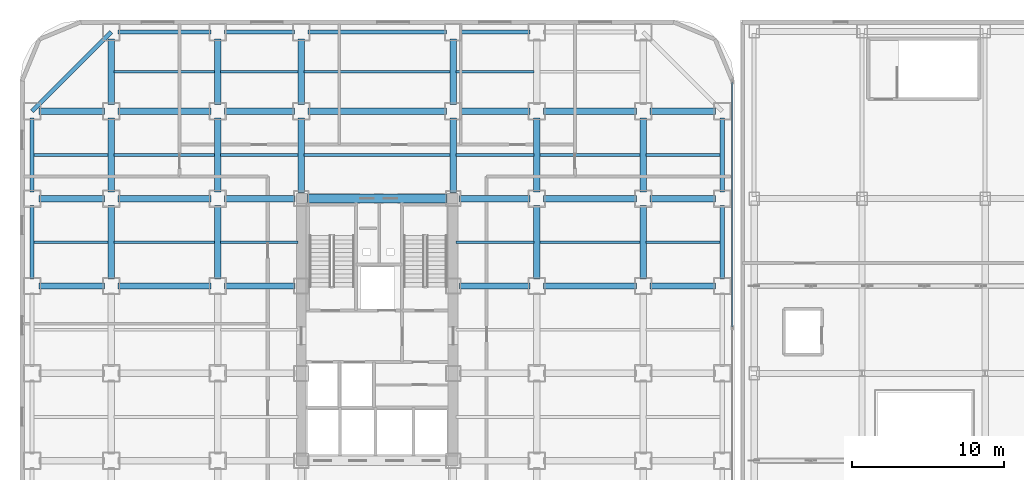
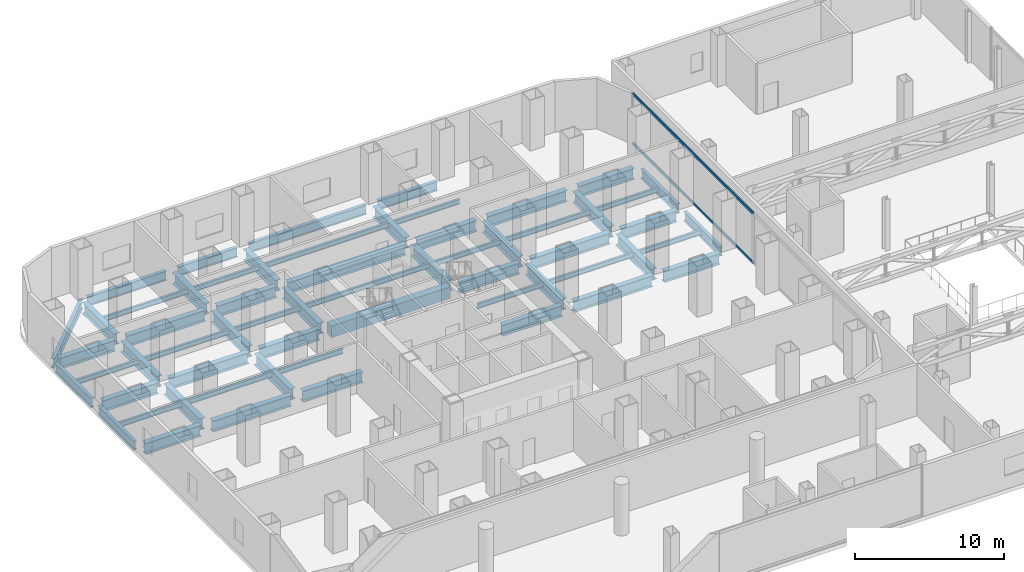
# One storey, part 14 of 28: 60 beams, 2 members, 1 element without a shape of its own.
"""IFC4 building model written with IfcOpenShell, lengths in metres."""

from ifc_helpers import new_model, si_unit, direction, frame, origin, origin_2d, place, context, subcontext, project, spatial, rectangle, hollow_rectangle, i_section, extrude, source, transform, mapped, material, layer, layer_set, material_profile, profile_set, type_object, element, aggregate, save


model = new_model("IFC4")

# Units and contexts
model_context = context("Model", 3, precision=1e-05, world=origin(), true_north=direction((0.0, 1.0)))
body_context = subcontext(model_context, "Body", "Model", "MODEL_VIEW")
ifc_project = project(units=[si_unit("LENGTHUNIT", "METRE"), si_unit("AREAUNIT", "SQUARE_METRE"), si_unit("VOLUMEUNIT", "CUBIC_METRE"), si_unit("PLANEANGLEUNIT", "RADIAN"), si_unit("MASSUNIT", "GRAM", prefix="KILO")], contexts=[model_context])

# Site, building, storey
site_placement = place(None, origin())
site = spatial("IfcSite", under=ifc_project, at=site_placement, CompositionType="ELEMENT")
building_placement = place(site_placement, origin())
building = spatial("IfcBuilding", under=site, at=building_placement, Name="Kolveth Station Tower", CompositionType="ELEMENT")
storey_placement = place(building_placement, frame((0.0, 0.0, 18.0)))
storey = spatial("IfcBuildingStorey", under=building, at=storey_placement, Name="L04", CompositionType="ELEMENT", Elevation=18.0)

# Beams
ifc_material_1 = material(Name="Steel S355", Category="steel")
ifc_material_profile_1 = material_profile(ifc_material_1, i_section(OverallWidth=0.26904296875, OverallDepth=0.77490234375, WebThickness=0.01708984375, FlangeThickness=0.0283203125, at=origin_2d()), Name="W760x220")
ifc_profile_set_1 = profile_set([ifc_material_profile_1], Name="Steel S355")
beam_type_1 = type_object("IfcBeamType", Name="Beam_SP1", PredefinedType="SPANDREL", material=ifc_profile_set_1)
shared_shape_1 = source(origin(), body_context, "Body", "SweptSolid", [
    extrude(i_section(OverallWidth=0.26904296875, OverallDepth=0.77490234375, WebThickness=0.01708984375, FlangeThickness=0.0283203125, at=origin_2d()), origin(), (0.0, 0.0, 1.0), 6.10009765625),
])
beam_1_placement = place(storey_placement, frame((6.449951171875, 39.699951171875, -0.70751953125), z_axis=(1.0, 0.0, 0.0), x_axis=(0.0, 1.0, 0.0)))
element("IfcBeam", 1, at=beam_1_placement, inside=storey, type_object=beam_type_1, Name="L04 Perimeter Spandrel BM-L04-PN-1", PredefinedType="SPANDREL", context=body_context, shape_type="MappedRepresentation", body=[
    mapped(shared_shape_1, transform((0.0, 0.0, 0.0), x_axis=(1.0, 0.0, 0.0), y_axis=(0.0, 1.0, 0.0), z_axis=(0.0, 0.0, 1.0), scale=1.0)),
])
shared_shape_2 = source(origin(), body_context, "Body", "SweptSolid", [
    extrude(i_section(OverallWidth=0.26904296875, OverallDepth=0.77490234375, WebThickness=0.01708984375, FlangeThickness=0.0283203125, at=origin_2d()), origin(), (0.0, 0.0, 1.0), 4.60009765625),
])
for number, where, z_axis, x_axis, name in (
    (2, (13.449951171875, 39.699951171875, -0.70751953125), (1.0, 0.0, 0.0), (0.0, 1.0, 0.0), "L04 Perimeter Spandrel BM-L04-PN-2"),
    (3, (28.949951171875, 39.699951171875, -0.70751953125), (1.0, 0.0, 0.0), (0.0, 1.0, 0.0), "L04 Perimeter Spandrel BM-L04-PN-4"),
):
    element("IfcBeam", number, at=place(storey_placement, frame(where, z_axis=z_axis, x_axis=x_axis)), inside=storey, type_object=beam_type_1, Name=name, PredefinedType="SPANDREL", context=body_context, shape_type="MappedRepresentation", body=[
        mapped(shared_shape_2, transform((0.0, 0.0, 0.0), x_axis=(1.0, 0.0, 0.0), y_axis=(0.0, 1.0, 0.0), z_axis=(0.0, 0.0, 1.0), scale=1.0)),
    ])
shared_shape_3 = source(origin(), body_context, "Body", "SweptSolid", [
    extrude(i_section(OverallWidth=0.26904296875, OverallDepth=0.77490234375, WebThickness=0.01708984375, FlangeThickness=0.0283203125, at=origin_2d()), origin(), (0.0, 0.0, 1.0), 9.10009765625),
])
beam_2_placement = place(storey_placement, frame((18.949951171875, 39.699951171875, -0.70751953125), z_axis=(1.0, 0.0, 0.0), x_axis=(0.0, 1.0, 0.0)))
element("IfcBeam", 4, at=beam_2_placement, inside=storey, type_object=beam_type_1, Name="L04 Perimeter Spandrel BM-L04-PN-3", PredefinedType="SPANDREL", context=body_context, shape_type="MappedRepresentation", body=[
    mapped(shared_shape_3, transform((0.0, 0.0, 0.0), x_axis=(1.0, 0.0, 0.0), y_axis=(0.0, 1.0, 0.0), z_axis=(0.0, 0.0, 1.0), scale=1.0)),
])
shared_shape_4 = source(origin(), body_context, "Body", "SweptSolid", [
    extrude(i_section(OverallWidth=0.26904296875, OverallDepth=0.77490234375, WebThickness=0.01708984375, FlangeThickness=0.0283203125, at=origin_2d()), origin(), (0.0, 0.0, 1.0), 4.85009765625),
])
for number, where, z_axis, x_axis, name in (
    (5, (0.800048828125, 23.449951171875, -0.70751953125), (0.0, 1.0, 0.0), (-1.0, 0.0, 0.0), "L04 Perimeter Spandrel BM-L04-PW-4"),
    (6, (0.800048828125, 29.199951171875, -0.70751953125), (0.0, 1.0, 0.0), (-1.0, 0.0, 0.0), "L04 Perimeter Spandrel BM-L04-PW-5"),
    (7, (46.199951171875, 23.449951171875, -0.70751953125), (0.0, 1.0, 0.0), (-1.0, 0.0, 0.0), "L04 Perimeter Spandrel BM-L04-PE-4"),
    (8, (46.199951171875, 29.199951171875, -0.70751953125), (0.0, 1.0, 0.0), (-1.0, 0.0, 0.0), "L04 Perimeter Spandrel BM-L04-PE-5"),
):
    element("IfcBeam", number, at=place(storey_placement, frame(where, z_axis=z_axis, x_axis=x_axis)), inside=storey, type_object=beam_type_1, Name=name, PredefinedType="SPANDREL", context=body_context, shape_type="MappedRepresentation", body=[
        mapped(shared_shape_4, transform((0.0, 0.0, 0.0), x_axis=(1.0, 0.0, 0.0), y_axis=(0.0, 1.0, 0.0), z_axis=(0.0, 0.0, 1.0), scale=1.0)),
    ])
shared_shape_5 = source(origin(), body_context, "Body", "SweptSolid", [
    extrude(i_section(OverallWidth=0.26904296875, OverallDepth=0.77490234375, WebThickness=0.01708984375, FlangeThickness=0.0283203125, at=origin_2d()), origin(), (0.0, 0.0, 1.0), 7.353759765625),
])
beam_3_placement = place(storey_placement, frame((6.0, 39.699951171875, -0.70751953125), z_axis=(-0.707106781187, -0.707106781187, 0.0), x_axis=(0.707106781187, -0.707106781187, 0.0)))
element("IfcBeam", 9, at=beam_3_placement, inside=storey, type_object=beam_type_1, Name="L04 Corner Edge Girder BM-L04-CNR-NW", PredefinedType="SPANDREL", context=body_context, shape_type="MappedRepresentation", body=[
    mapped(shared_shape_5, transform((0.0, 0.0, 0.0), x_axis=(1.0, 0.0, 0.0), y_axis=(0.0, 1.0, 0.0), z_axis=(0.0, 0.0, 1.0), scale=1.0)),
])
ifc_material_profile_2 = material_profile(ifc_material_1, i_section(OverallWidth=0.41796875, OverallDepth=0.912109375, WebThickness=0.019287109375, FlangeThickness=0.031982421875, at=origin_2d()), Name="W920x342")
ifc_profile_set_2 = profile_set([ifc_material_profile_2], Name="Steel S355")
beam_type_2 = type_object("IfcBeamType", Name="Beam_B1", PredefinedType="BEAM", material=ifc_profile_set_2)
shared_shape_6 = source(origin(), body_context, "Body", "SweptSolid", [
    extrude(i_section(OverallWidth=0.41796875, OverallDepth=0.912109375, WebThickness=0.019287109375, FlangeThickness=0.031982421875, at=origin_2d()), origin(), (0.0, 0.0, 1.0), 4.300048828125),
])
for number, where, z_axis, x_axis, name in (
    (10, (1.25, 23.0, -0.77587890625), (1.0, 0.0, 0.0), (0.0, 1.0, 0.0), "L04 Primary Girder BM-L04-GY230-1"),
    (11, (41.449951171875, 23.0, -0.77587890625), (1.0, 0.0, 0.0), (0.0, 1.0, 0.0), "L04 Primary Girder BM-L04-GY230-7"),
    (12, (1.25, 28.75, -0.77587890625), (1.0, 0.0, 0.0), (0.0, 1.0, 0.0), "L04 Primary Girder BM-L04-GY287-1"),
    (13, (41.449951171875, 28.75, -0.77587890625), (1.0, 0.0, 0.0), (0.0, 1.0, 0.0), "L04 Primary Girder BM-L04-GY287-7"),
    (14, (1.25, 34.5, -0.77587890625), (1.0, 0.0, 0.0), (0.0, 1.0, 0.0), "L04 Primary Girder BM-L04-GY345-1"),
    (15, (41.449951171875, 34.5, -0.77587890625), (1.0, 0.0, 0.0), (0.0, 1.0, 0.0), "L04 Primary Girder BM-L04-GY345-7"),
    (16, (6.0, 34.949951171875, -0.77587890625), (0.0, 1.0, 0.0), (-1.0, 0.0, 0.0), "L04 Primary Girder BM-L04-GX60-7"),
    (17, (13.0, 34.949951171875, -0.77587890625), (0.0, 1.0, 0.0), (-1.0, 0.0, 0.0), "L04 Primary Girder BM-L04-GX130-7"),
    (18, (18.5, 34.949951171875, -0.77587890625), (0.0, 1.0, 0.0), (-1.0, 0.0, 0.0), "L04 Primary Girder BM-L04-GX185-7"),
    (19, (28.5, 34.949951171875, -0.77587890625), (0.0, 1.0, 0.0), (-1.0, 0.0, 0.0), "L04 Primary Girder BM-L04-GX285-7"),
):
    element("IfcBeam", number, at=place(storey_placement, frame(where, z_axis=z_axis, x_axis=x_axis)), inside=storey, type_object=beam_type_2, Name=name, PredefinedType="BEAM", context=body_context, shape_type="MappedRepresentation", body=[
        mapped(shared_shape_6, transform((0.0, 0.0, 0.0), x_axis=(1.0, 0.0, 0.0), y_axis=(0.0, 1.0, 0.0), z_axis=(0.0, 0.0, 1.0), scale=1.0)),
    ])
shared_shape_7 = source(origin(), body_context, "Body", "SweptSolid", [
    extrude(i_section(OverallWidth=0.41796875, OverallDepth=0.912109375, WebThickness=0.019287109375, FlangeThickness=0.031982421875, at=origin_2d()), origin(), (0.0, 0.0, 1.0), 6.10009765625),
])
for number, where, z_axis, x_axis, name in (
    (20, (6.449951171875, 23.0, -0.77587890625), (1.0, 0.0, 0.0), (0.0, 1.0, 0.0), "L04 Primary Girder BM-L04-GY230-2"),
    (21, (34.449951171875, 23.0, -0.77587890625), (1.0, 0.0, 0.0), (0.0, 1.0, 0.0), "L04 Primary Girder BM-L04-GY230-6"),
    (22, (6.449951171875, 28.75, -0.77587890625), (1.0, 0.0, 0.0), (0.0, 1.0, 0.0), "L04 Primary Girder BM-L04-GY287-2"),
    (23, (34.449951171875, 28.75, -0.77587890625), (1.0, 0.0, 0.0), (0.0, 1.0, 0.0), "L04 Primary Girder BM-L04-GY287-6"),
    (24, (6.449951171875, 34.5, -0.77587890625), (1.0, 0.0, 0.0), (0.0, 1.0, 0.0), "L04 Primary Girder BM-L04-GY345-2"),
    (25, (34.449951171875, 34.5, -0.77587890625), (1.0, 0.0, 0.0), (0.0, 1.0, 0.0), "L04 Primary Girder BM-L04-GY345-6"),
):
    element("IfcBeam", number, at=place(storey_placement, frame(where, z_axis=z_axis, x_axis=x_axis)), inside=storey, type_object=beam_type_2, Name=name, PredefinedType="BEAM", context=body_context, shape_type="MappedRepresentation", body=[
        mapped(shared_shape_7, transform((0.0, 0.0, 0.0), x_axis=(1.0, 0.0, 0.0), y_axis=(0.0, 1.0, 0.0), z_axis=(0.0, 0.0, 1.0), scale=1.0)),
    ])
shared_shape_8 = source(origin(), body_context, "Body", "SweptSolid", [
    extrude(i_section(OverallWidth=0.41796875, OverallDepth=0.912109375, WebThickness=0.019287109375, FlangeThickness=0.031982421875, at=origin_2d()), origin(), (0.0, 0.0, 1.0), 4.60009765625),
])
for number, where, z_axis, x_axis, name in (
    (26, (13.449951171875, 34.5, -0.77587890625), (1.0, 0.0, 0.0), (0.0, 1.0, 0.0), "L04 Primary Girder BM-L04-GY345-3"),
    (27, (28.949951171875, 34.5, -0.77587890625), (1.0, 0.0, 0.0), (0.0, 1.0, 0.0), "L04 Primary Girder BM-L04-GY345-5"),
):
    element("IfcBeam", number, at=place(storey_placement, frame(where, z_axis=z_axis, x_axis=x_axis)), inside=storey, type_object=beam_type_2, Name=name, PredefinedType="BEAM", context=body_context, shape_type="MappedRepresentation", body=[
        mapped(shared_shape_8, transform((0.0, 0.0, 0.0), x_axis=(1.0, 0.0, 0.0), y_axis=(0.0, 1.0, 0.0), z_axis=(0.0, 0.0, 1.0), scale=1.0)),
    ])
shared_shape_9 = source(origin(), body_context, "Body", "SweptSolid", [
    extrude(i_section(OverallWidth=0.41796875, OverallDepth=0.912109375, WebThickness=0.019287109375, FlangeThickness=0.031982421875, at=origin_2d()), origin(), (0.0, 0.0, 1.0), 9.10009765625),
])
beam_4_placement = place(storey_placement, frame((18.949951171875, 34.5, -0.77587890625), z_axis=(1.0, 0.0, 0.0), x_axis=(0.0, 1.0, 0.0)))
element("IfcBeam", 28, at=beam_4_placement, inside=storey, type_object=beam_type_2, Name="L04 Primary Girder BM-L04-GY345-4", PredefinedType="BEAM", context=body_context, shape_type="MappedRepresentation", body=[
    mapped(shared_shape_9, transform((0.0, 0.0, 0.0), x_axis=(1.0, 0.0, 0.0), y_axis=(0.0, 1.0, 0.0), z_axis=(0.0, 0.0, 1.0), scale=1.0)),
])
shared_shape_10 = source(origin(), body_context, "Body", "SweptSolid", [
    extrude(i_section(OverallWidth=0.41796875, OverallDepth=0.912109375, WebThickness=0.019287109375, FlangeThickness=0.031982421875, at=origin_2d()), origin(), (0.0, 0.0, 1.0), 4.650146484375),
])
for number, where, z_axis, x_axis, name in (
    (29, (13.449951171875, 23.0, -0.77587890625), (1.0, 0.0, 0.0), (0.0, 1.0, 0.0), "L04 Primary Girder BM-L04-GY230-3"),
    (30, (28.89990234375, 23.0, -0.77587890625), (1.0, 0.0, 0.0), (0.0, 1.0, 0.0), "L04 Primary Girder BM-L04-GY230-5"),
    (31, (13.449951171875, 28.75, -0.77587890625), (1.0, 0.0, 0.0), (0.0, 1.0, 0.0), "L04 Primary Girder BM-L04-GY287-3"),
    (32, (28.89990234375, 28.75, -0.77587890625), (1.0, 0.0, 0.0), (0.0, 1.0, 0.0), "L04 Primary Girder BM-L04-GY287-5"),
):
    element("IfcBeam", number, at=place(storey_placement, frame(where, z_axis=z_axis, x_axis=x_axis)), inside=storey, type_object=beam_type_2, Name=name, PredefinedType="BEAM", context=body_context, shape_type="MappedRepresentation", body=[
        mapped(shared_shape_10, transform((0.0, 0.0, 0.0), x_axis=(1.0, 0.0, 0.0), y_axis=(0.0, 1.0, 0.0), z_axis=(0.0, 0.0, 1.0), scale=1.0)),
    ])
ifc_material_2 = material(Name="Concrete C60/75", Category="concrete")
ifc_material_profile_3 = material_profile(ifc_material_2, rectangle(XDim=0.60009765625, YDim=0.949951171875, at=origin_2d()), Name="RC-600x950")
ifc_profile_set_3 = profile_set([ifc_material_profile_3], Name="Concrete C60/75")
beam_type_3 = type_object("IfcBeamType", Name="Beam_CB1", PredefinedType="BEAM", material=ifc_profile_set_3)
shared_shape_11 = source(origin(), body_context, "Body", "SweptSolid", [
    extrude(rectangle(XDim=0.60009765625, YDim=0.949951171875, at=origin_2d()), origin(), (0.0, 0.0, 1.0), 9.2001953125),
])
beam_5_placement = place(storey_placement, frame((18.89990234375, 28.75, -0.794921875), z_axis=(1.0, 0.0, 0.0), x_axis=(0.0, 1.0, 0.0)))
element("IfcBeam", 33, at=beam_5_placement, inside=storey, type_object=beam_type_3, Name="L04 Core Coupling Beam BM-L04-CB-Y287", PredefinedType="BEAM", context=body_context, shape_type="MappedRepresentation", body=[
    mapped(shared_shape_11, transform((0.0, 0.0, 0.0), x_axis=(1.0, 0.0, 0.0), y_axis=(0.0, 1.0, 0.0), z_axis=(0.0, 0.0, 1.0), scale=1.0)),
])
shared_shape_12 = source(origin(), body_context, "Body", "SweptSolid", [
    extrude(i_section(OverallWidth=0.41796875, OverallDepth=0.912109375, WebThickness=0.019287109375, FlangeThickness=0.031982421875, at=origin_2d()), origin(), (0.0, 0.0, 1.0), 4.85009765625),
])
for number, where, z_axis, x_axis, name in (
    (34, (6.0, 23.449951171875, -0.77587890625), (0.0, 1.0, 0.0), (-1.0, 0.0, 0.0), "L04 Primary Girder BM-L04-GX60-5"),
    (35, (6.0, 29.199951171875, -0.77587890625), (0.0, 1.0, 0.0), (-1.0, 0.0, 0.0), "L04 Primary Girder BM-L04-GX60-6"),
    (36, (13.0, 23.449951171875, -0.77587890625), (0.0, 1.0, 0.0), (-1.0, 0.0, 0.0), "L04 Primary Girder BM-L04-GX130-5"),
    (37, (13.0, 29.199951171875, -0.77587890625), (0.0, 1.0, 0.0), (-1.0, 0.0, 0.0), "L04 Primary Girder BM-L04-GX130-6"),
    (38, (34.0, 23.449951171875, -0.77587890625), (0.0, 1.0, 0.0), (-1.0, 0.0, 0.0), "L04 Primary Girder BM-L04-GX340-5"),
    (39, (34.0, 29.199951171875, -0.77587890625), (0.0, 1.0, 0.0), (-1.0, 0.0, 0.0), "L04 Primary Girder BM-L04-GX340-6"),
    (40, (41.0, 23.449951171875, -0.77587890625), (0.0, 1.0, 0.0), (-1.0, 0.0, 0.0), "L04 Primary Girder BM-L04-GX410-5"),
    (41, (41.0, 29.199951171875, -0.77587890625), (0.0, 1.0, 0.0), (-1.0, 0.0, 0.0), "L04 Primary Girder BM-L04-GX410-6"),
):
    element("IfcBeam", number, at=place(storey_placement, frame(where, z_axis=z_axis, x_axis=x_axis)), inside=storey, type_object=beam_type_2, Name=name, PredefinedType="BEAM", context=body_context, shape_type="MappedRepresentation", body=[
        mapped(shared_shape_12, transform((0.0, 0.0, 0.0), x_axis=(1.0, 0.0, 0.0), y_axis=(0.0, 1.0, 0.0), z_axis=(0.0, 0.0, 1.0), scale=1.0)),
    ])
shared_shape_13 = source(origin(), body_context, "Body", "SweptSolid", [
    extrude(i_section(OverallWidth=0.41796875, OverallDepth=0.912109375, WebThickness=0.019287109375, FlangeThickness=0.031982421875, at=origin_2d()), origin(), (0.0, 0.0, 1.0), 4.900146484375),
])
for number, where, z_axis, x_axis, name in (
    (42, (18.5, 29.14990234375, -0.77587890625), (0.0, 1.0, 0.0), (-1.0, 0.0, 0.0), "L04 Primary Girder BM-L04-GX185-6"),
    (43, (28.5, 29.14990234375, -0.77587890625), (0.0, 1.0, 0.0), (-1.0, 0.0, 0.0), "L04 Primary Girder BM-L04-GX285-6"),
):
    element("IfcBeam", number, at=place(storey_placement, frame(where, z_axis=z_axis, x_axis=x_axis)), inside=storey, type_object=beam_type_2, Name=name, PredefinedType="BEAM", context=body_context, shape_type="MappedRepresentation", body=[
        mapped(shared_shape_13, transform((0.0, 0.0, 0.0), x_axis=(1.0, 0.0, 0.0), y_axis=(0.0, 1.0, 0.0), z_axis=(0.0, 0.0, 1.0), scale=1.0)),
    ])
ifc_material_profile_4 = material_profile(ifc_material_1, i_section(OverallWidth=0.177978515625, OverallDepth=0.406982421875, WebThickness=0.0078125, FlangeThickness=0.0126953125, at=origin_2d()), Name="W410x60")
ifc_profile_set_4 = profile_set([ifc_material_profile_4], Name="Steel S355")
beam_type_4 = type_object("IfcBeamType", Name="Beam_J1", PredefinedType="JOIST", material=ifc_profile_set_4)
shared_shape_14 = source(origin(), body_context, "Body", "SweptSolid", [
    extrude(i_section(OverallWidth=0.177978515625, OverallDepth=0.406982421875, WebThickness=0.0078125, FlangeThickness=0.0126953125, at=origin_2d()), origin(), (0.0, 0.0, 1.0), 4.872314453125),
])
for number, where, z_axis, x_axis, name in (
    (44, (0.9326171875, 25.875, -0.5234375), (1.0, 0.0, 0.0), (0.0, 1.0, 0.0), "L04 Secondary Joist JST-L04-1-5"),
    (45, (0.9326171875, 31.625, -0.5234375), (1.0, 0.0, 0.0), (0.0, 1.0, 0.0), "L04 Secondary Joist JST-L04-1-6"),
    (46, (41.195068359375, 25.875, -0.5234375), (1.0, 0.0, 0.0), (0.0, 1.0, 0.0), "L04 Secondary Joist JST-L04-7-5"),
    (47, (41.195068359375, 31.625, -0.5234375), (1.0, 0.0, 0.0), (0.0, 1.0, 0.0), "L04 Secondary Joist JST-L04-7-6"),
):
    element("IfcBeam", number, at=place(storey_placement, frame(where, z_axis=z_axis, x_axis=x_axis)), inside=storey, type_object=beam_type_4, Name=name, PredefinedType="JOIST", context=body_context, shape_type="MappedRepresentation", body=[
        mapped(shared_shape_14, transform((0.0, 0.0, 0.0), x_axis=(1.0, 0.0, 0.0), y_axis=(0.0, 1.0, 0.0), z_axis=(0.0, 0.0, 1.0), scale=1.0)),
    ])
shared_shape_15 = source(origin(), body_context, "Body", "SweptSolid", [
    extrude(i_section(OverallWidth=0.177978515625, OverallDepth=0.406982421875, WebThickness=0.0078125, FlangeThickness=0.0126953125, at=origin_2d()), origin(), (0.0, 0.0, 1.0), 6.60986328125),
])
for number, where, z_axis, x_axis, name in (
    (48, (6.195068359375, 25.875, -0.5234375), (1.0, 0.0, 0.0), (0.0, 1.0, 0.0), "L04 Secondary Joist JST-L04-2-5"),
    (49, (6.195068359375, 31.625, -0.5234375), (1.0, 0.0, 0.0), (0.0, 1.0, 0.0), "L04 Secondary Joist JST-L04-2-6"),
    (50, (6.195068359375, 37.10009765625, -0.5234375), (1.0, 0.0, 0.0), (0.0, 1.0, 0.0), "L04 Secondary Joist JST-L04-2-7"),
    (51, (34.195068359375, 25.875, -0.5234375), (1.0, 0.0, 0.0), (0.0, 1.0, 0.0), "L04 Secondary Joist JST-L04-6-5"),
    (52, (34.195068359375, 31.625, -0.5234375), (1.0, 0.0, 0.0), (0.0, 1.0, 0.0), "L04 Secondary Joist JST-L04-6-6"),
):
    element("IfcBeam", number, at=place(storey_placement, frame(where, z_axis=z_axis, x_axis=x_axis)), inside=storey, type_object=beam_type_4, Name=name, PredefinedType="JOIST", context=body_context, shape_type="MappedRepresentation", body=[
        mapped(shared_shape_15, transform((0.0, 0.0, 0.0), x_axis=(1.0, 0.0, 0.0), y_axis=(0.0, 1.0, 0.0), z_axis=(0.0, 0.0, 1.0), scale=1.0)),
    ])
shared_shape_16 = source(origin(), body_context, "Body", "SweptSolid", [
    extrude(i_section(OverallWidth=0.177978515625, OverallDepth=0.406982421875, WebThickness=0.0078125, FlangeThickness=0.0126953125, at=origin_2d()), origin(), (0.0, 0.0, 1.0), 5.10986328125),
])
for number, where, z_axis, x_axis, name in (
    (53, (13.195068359375, 25.875, -0.5234375), (1.0, 0.0, 0.0), (0.0, 1.0, 0.0), "L04 Secondary Joist JST-L04-3-5"),
    (54, (13.195068359375, 31.625, -0.5234375), (1.0, 0.0, 0.0), (0.0, 1.0, 0.0), "L04 Secondary Joist JST-L04-3-6"),
    (55, (13.195068359375, 37.10009765625, -0.5234375), (1.0, 0.0, 0.0), (0.0, 1.0, 0.0), "L04 Secondary Joist JST-L04-3-7"),
    (56, (28.695068359375, 25.875, -0.5234375), (1.0, 0.0, 0.0), (0.0, 1.0, 0.0), "L04 Secondary Joist JST-L04-5-5"),
    (57, (28.695068359375, 31.625, -0.5234375), (1.0, 0.0, 0.0), (0.0, 1.0, 0.0), "L04 Secondary Joist JST-L04-5-6"),
    (58, (28.695068359375, 37.10009765625, -0.5234375), (1.0, 0.0, 0.0), (0.0, 1.0, 0.0), "L04 Secondary Joist JST-L04-5-7"),
):
    element("IfcBeam", number, at=place(storey_placement, frame(where, z_axis=z_axis, x_axis=x_axis)), inside=storey, type_object=beam_type_4, Name=name, PredefinedType="JOIST", context=body_context, shape_type="MappedRepresentation", body=[
        mapped(shared_shape_16, transform((0.0, 0.0, 0.0), x_axis=(1.0, 0.0, 0.0), y_axis=(0.0, 1.0, 0.0), z_axis=(0.0, 0.0, 1.0), scale=1.0)),
    ])
shared_shape_17 = source(origin(), body_context, "Body", "SweptSolid", [
    extrude(i_section(OverallWidth=0.177978515625, OverallDepth=0.406982421875, WebThickness=0.0078125, FlangeThickness=0.0126953125, at=origin_2d()), origin(), (0.0, 0.0, 1.0), 9.60986328125),
])
for number, where, z_axis, x_axis, name in (
    (59, (18.695068359375, 31.625, -0.5234375), (1.0, 0.0, 0.0), (0.0, 1.0, 0.0), "L04 Secondary Joist JST-L04-4-6"),
    (60, (18.695068359375, 37.10009765625, -0.5234375), (1.0, 0.0, 0.0), (0.0, 1.0, 0.0), "L04 Secondary Joist JST-L04-4-7"),
):
    element("IfcBeam", number, at=place(storey_placement, frame(where, z_axis=z_axis, x_axis=x_axis)), inside=storey, type_object=beam_type_4, Name=name, PredefinedType="JOIST", context=body_context, shape_type="MappedRepresentation", body=[
        mapped(shared_shape_17, transform((0.0, 0.0, 0.0), x_axis=(1.0, 0.0, 0.0), y_axis=(0.0, 1.0, 0.0), z_axis=(0.0, 0.0, 1.0), scale=1.0)),
    ])

# Curtain wall, members
ifc_material_3 = material(Name="Black anodized aluminium 6063-T6 and clear station glass", Category="aluminium")
ifc_layer = layer(ifc_material_3, 0.239990234375)
ifc_layer_set = layer_set([ifc_layer], Name="Black anodized aluminium 6063-T6 and clear station glass")
curtain_wall_type = type_object("IfcCurtainWallType", Name="CurtainWall_CW-ST", PredefinedType="NOTDEFINED", material=ifc_layer_set)
curtain_wall_placement = place(storey_placement, origin())
curtain_wall = element("IfcCurtainWall", 61, at=curtain_wall_placement, inside=storey, type_object=curtain_wall_type, Name="L04 Tower Podium East Storefront Curtain Wall", PredefinedType="NOTDEFINED")
ifc_material_4 = material(Name="Black anodized aluminium 6063-T6", Category="aluminium")
ifc_material_profile_5 = material_profile(ifc_material_4, hollow_rectangle(XDim=0.094970703125, YDim=0.219970703125, WallThickness=0.0048828125, at=origin_2d()), Name="ALU-95x220x5")
ifc_profile_set_5 = profile_set([ifc_material_profile_5], Name="Black anodized aluminium 6063-T6")
member_type = type_object("IfcMemberType", Name="Transom_TR-ST", PredefinedType="USERDEFINED", material=ifc_profile_set_5)
shared_shape_18 = source(origin(), body_context, "Body", "SweptSolid", [
    extrude(hollow_rectangle(XDim=0.094970703125, YDim=0.219970703125, WallThickness=0.0048828125, at=origin_2d()), origin(), (0.0, 0.0, 1.0), 16.099853515625),
])
member_1_placement = place(storey_placement, frame((46.860107421875, 20.300048828125, 0.047607421875), z_axis=(0.0, 1.0, 0.0), x_axis=(-1.0, 0.0, 0.0)))
member_1 = element("IfcMember", 62, at=member_1_placement, type_object=member_type, Name="CW-ST transom 2.1", ObjectType="TRANSOM", PredefinedType="USERDEFINED", context=body_context, shape_type="MappedRepresentation", body=[
    mapped(shared_shape_18, transform((0.0, 0.0, 0.0), x_axis=(1.0, 0.0, 0.0), y_axis=(0.0, 1.0, 0.0), z_axis=(0.0, 0.0, 1.0), scale=1.0)),
])
member_2_placement = place(storey_placement, frame((46.860107421875, 20.300048828125, 4.092529296875), z_axis=(0.0, 1.0, 0.0), x_axis=(-1.0, 0.0, 0.0)))
member_2 = element("IfcMember", 63, at=member_2_placement, type_object=member_type, Name="CW-ST transom 2.2", ObjectType="TRANSOM", PredefinedType="USERDEFINED", context=body_context, shape_type="MappedRepresentation", body=[
    mapped(shared_shape_18, transform((0.0, 0.0, 0.0), x_axis=(1.0, 0.0, 0.0), y_axis=(0.0, 1.0, 0.0), z_axis=(0.0, 0.0, 1.0), scale=1.0)),
])
aggregate(curtain_wall, [member_1, member_2])

save(model, "model.ifc")
